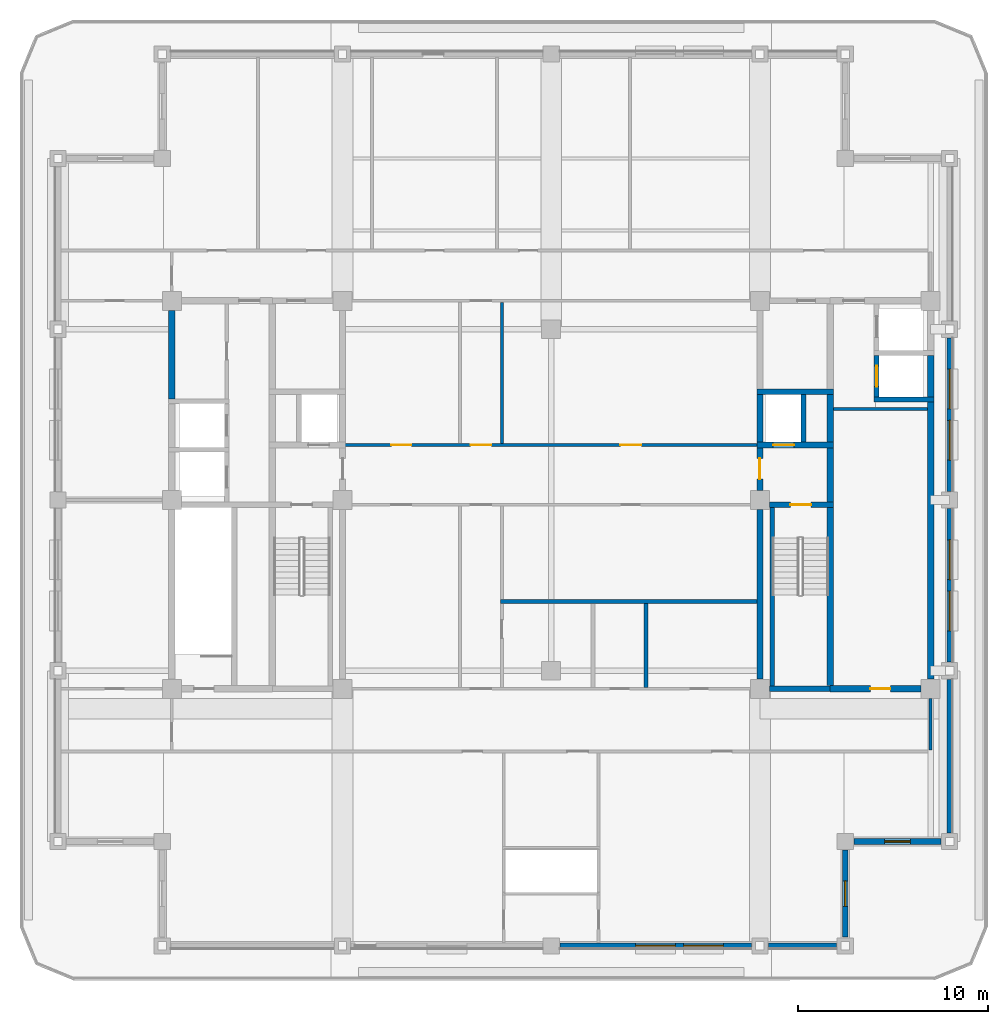
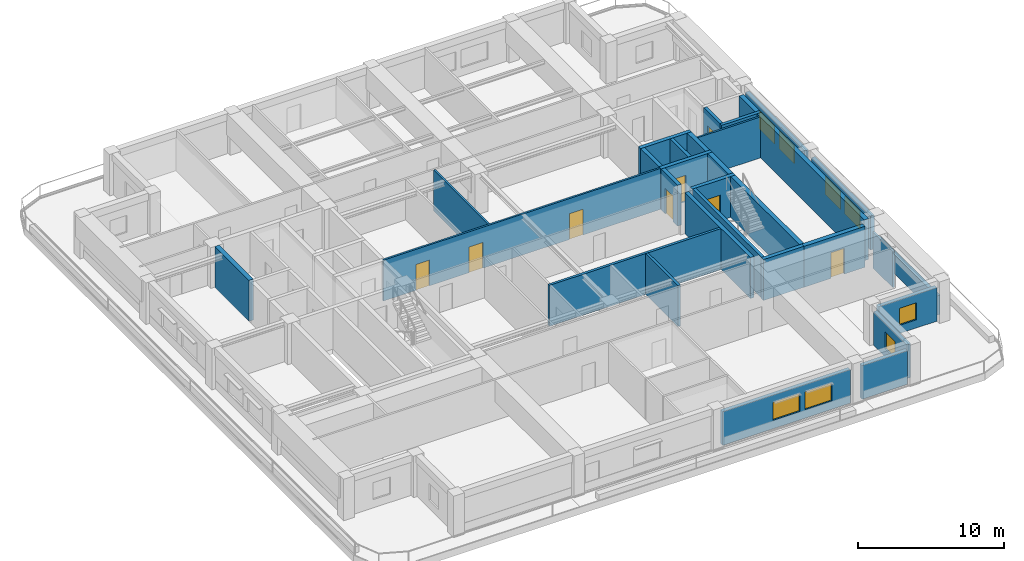
# One storey, part 4 of 11: 31 walls, 8 doors, 8 windows, 16 openings.
"""IFC4 building model written with IfcOpenShell, lengths in metres."""

import ifcopenshell
import ifcopenshell.guid

model = None  # the IFC model being written
_history = None  # IfcOwnerHistory: only IFC2X3 demands one
_inside = {}  # id of a spatial element -> (the spatial element, [elements in it])
_under = {}  # id of a project, library or spatial element -> (it, [spatial elements below it])
_declared = {}  # id of a project -> (the project, [libraries it declares])
_typed = {}  # id of a type object -> (the type object, [elements of that type])
_made_of = {}  # id of a material, layer set ... -> (it, [elements and type objects made of it])


def new_model(schema):
    """Start an empty IFC model of exactly this schema.

    Asked for "IFC4X3", IfcOpenShell would pick the latest addendum, in which some entities
    have other attributes; the version numbers below select the first issue.
    IFC2X3 requires an IfcOwnerHistory on every rooted entity: one is made here for all.
    """
    global model, _history
    if schema == "IFC4X3":
        model = ifcopenshell.file(schema_version=(4, 3, 0, 0))
    else:
        model = ifcopenshell.file(schema=schema)
    _inside.clear()
    _under.clear()
    _declared.clear()
    _typed.clear()
    _made_of.clear()
    _history = None
    if model.schema == "IFC2X3":
        org = make("IfcOrganization", Name="unknown")
        user = make(
            "IfcPersonAndOrganization",
            ThePerson=make("IfcPerson", FamilyName="unknown"),
            TheOrganization=org,
        )
        app = make(
            "IfcApplication",
            ApplicationDeveloper=org,
            Version="unknown",
            ApplicationFullName="unknown",
            ApplicationIdentifier="unknown",
        )
        _history = make(
            "IfcOwnerHistory",
            OwningUser=user,
            OwningApplication=app,
            ChangeAction="ADDED",
            CreationDate=0,
        )
    return model


def make(cls, **values):
    """One entity of the class cls with the attributes given. An attribute that is None is left unset."""
    return model.create_entity(
        cls, **{name: value for name, value in values.items() if value is not None}
    )


def rooted(cls, **values):
    """An entity with a GlobalId (a new one), such as an element, a storey or a relation."""
    return make(cls, GlobalId=ifcopenshell.guid.new(), OwnerHistory=_history, **values)


def si_unit(unit_type, name, prefix=None):
    """IfcSIUnit, for example si_unit("LENGTHUNIT", "METRE", prefix="MILLI")."""
    return make("IfcSIUnit", UnitType=unit_type, Prefix=prefix, Name=name)


def assignment(units):
    """IfcUnitAssignment: the units of a project."""
    return None if units is None else make("IfcUnitAssignment", Units=units)


def point(xyz):
    """IfcCartesianPoint."""
    return None if xyz is None else make("IfcCartesianPoint", Coordinates=xyz)


def direction(xyz):
    """IfcDirection."""
    return None if xyz is None else make("IfcDirection", DirectionRatios=xyz)


def frame(location, z_axis=None, x_axis=None):
    """IfcAxis2Placement3D, a coordinate frame: its origin and axes. An axis left out is left unset."""
    return make(
        "IfcAxis2Placement3D",
        Location=point(location),
        Axis=direction(z_axis),
        RefDirection=direction(x_axis),
    )


def frame_2d(location, x_axis=None):
    """IfcAxis2Placement2D, a coordinate frame in the plane: its origin and x axis."""
    return make(
        "IfcAxis2Placement2D", Location=point(location), RefDirection=direction(x_axis)
    )


def origin():
    """The frame at (0, 0, 0) with its axes left unset."""
    return frame((0.0, 0.0, 0.0))


def place(relative_to, where):
    """IfcLocalPlacement: puts the frame where relative to a parent placement (None: the world)."""
    return make(
        "IfcLocalPlacement", PlacementRelTo=relative_to, RelativePlacement=where
    )


def context(
    kind, dimensions, precision=None, world=None, true_north=None, identifier=None
):
    """IfcGeometricRepresentationContext, for example the 3D "Model" context."""
    return make(
        "IfcGeometricRepresentationContext",
        ContextIdentifier=identifier,
        ContextType=kind,
        CoordinateSpaceDimension=dimensions,
        Precision=precision,
        WorldCoordinateSystem=world,
        TrueNorth=true_north,
    )


def subcontext(parent, identifier, kind, view, scale=None):
    """IfcGeometricRepresentationSubContext, for example "Body" below "Model"."""
    return make(
        "IfcGeometricRepresentationSubContext",
        ContextIdentifier=identifier,
        ContextType=kind,
        ParentContext=parent,
        TargetScale=scale,
        TargetView=view,
    )


def project(units=None, contexts=None):
    """IfcProject with its units and contexts."""
    return rooted(
        "IfcProject",
        Name="project",
        RepresentationContexts=contexts,
        UnitsInContext=assignment(units),
    )


def spatial(cls, under=None, at=None, **own):
    """A site, building, storey or space (cls), placed at a placement, below another one or the project."""
    s = rooted(cls, ObjectPlacement=at, **own)
    if under is not None:
        _under.setdefault(under.id(), (under, []))[1].append(s)
    return s


def profile(cls, at=None, kind="AREA", **sizes):
    """A parametric profile (cls). Its sizes go by their IFC names, for example OverallWidth=200.0."""
    return make(cls, ProfileType=kind, Position=at, **sizes)


def rectangle(**sizes):
    """IfcRectangleProfileDef."""
    return profile("IfcRectangleProfileDef", **sizes)


def extrude(swept, where, along, depth):
    """IfcExtrudedAreaSolid: the profile swept, set in the frame where, extruded along a direction by depth."""
    return make(
        "IfcExtrudedAreaSolid",
        SweptArea=swept,
        Position=where,
        ExtrudedDirection=direction(along),
        Depth=depth,
    )


def shape(context_of_items, identifier, shape_type, items):
    """IfcShapeRepresentation: the items that make up one representation, for example the "Body"."""
    return make(
        "IfcShapeRepresentation",
        ContextOfItems=context_of_items,
        RepresentationIdentifier=identifier,
        RepresentationType=shape_type,
        Items=items,
    )


def material(Name=None, Category=None):
    """IfcMaterial."""
    return make("IfcMaterial", Name=Name, Category=Category)


def layer(
    of_material, thickness, ventilated=None, Name=None, Category=None, Priority=None
):
    """IfcMaterialLayer: one layer of a wall or slab, of a material (None: an air gap)."""
    return make(
        "IfcMaterialLayer",
        Material=of_material,
        LayerThickness=thickness,
        IsVentilated=ventilated,
        Name=Name,
        Category=Category,
        Priority=Priority,
    )


def layer_set(layers, Name=None):
    """IfcMaterialLayerSet."""
    return make("IfcMaterialLayerSet", MaterialLayers=layers, LayerSetName=Name)


def made_of(thing, what):
    """Note that an element or type object is made of a material, layer set ...; save() writes the relation."""
    if what is not None:
        _made_of.setdefault(what.id(), (what, []))[1].append(thing)
    return thing


def type_object(cls, material=None, **own):
    """A type object (cls), such as IfcWallType, which elements share."""
    return made_of(rooted(cls, **own), material)


def element(
    cls,
    number,
    at=None,
    inside=None,
    cuts=None,
    type_object=None,
    material=None,
    context=None,
    identifier="Body",
    shape_type=None,
    held_by="IfcProductDefinitionShape",
    body=None,
    shapes=None,
    **own,
):
    """One element of the class cls, such as IfcWall. Its Tag is "e" and its number.

    at: its placement. inside: the storey or other place that contains it. cuts: it is an
    opening in that element (IfcRelVoidsElement). A single representation is given by context,
    identifier, shape_type and body (its items); several are given by shapes. held_by: the class
    of the entity that holds the representations. save() writes the other relations.
    """
    e = rooted(cls, Tag="e%d" % number, ObjectPlacement=at, **own)
    if body is not None:
        shapes = [shape(context, identifier, shape_type, body)]
    if shapes is not None:
        e.Representation = make(held_by, Representations=shapes)
    if inside is not None:
        _inside.setdefault(inside.id(), (inside, []))[1].append(e)
    if cuts is not None:
        rooted(
            "IfcRelVoidsElement", RelatingBuildingElement=cuts, RelatedOpeningElement=e
        )
    if type_object is not None:
        _typed.setdefault(type_object.id(), (type_object, []))[1].append(e)
    return made_of(e, material)


def fill(opening, filler):
    """IfcRelFillsElement: the door or window that sits in an opening."""
    return rooted(
        "IfcRelFillsElement",
        RelatingOpeningElement=opening,
        RelatedBuildingElement=filler,
    )


def aggregate(whole, parts):
    """IfcRelAggregates: a whole, such as a stair, and the parts it consists of."""
    return rooted("IfcRelAggregates", RelatingObject=whole, RelatedObjects=parts)


def save(model, path):
    """Write the relations noted so far, then the file.

    IfcRelAggregates (storeys below a building ...), IfcRelContainedInSpatialStructure (elements
    in a storey), IfcRelDefinesByType, IfcRelAssociatesMaterial and IfcRelDeclares: one each for
    every whole, place, type object, material and project.
    """
    for whole, parts in _under.values():
        aggregate(whole, parts)
    for where, things in _inside.values():
        rooted(
            "IfcRelContainedInSpatialStructure",
            RelatedElements=things,
            RelatingStructure=where,
        )
    for kind, things in _typed.values():
        rooted("IfcRelDefinesByType", RelatedObjects=things, RelatingType=kind)
    for what, things in _made_of.values():
        rooted("IfcRelAssociatesMaterial", RelatedObjects=things, RelatingMaterial=what)
    for by, libraries in _declared.values():
        rooted("IfcRelDeclares", RelatingContext=by, RelatedDefinitions=libraries)
    model.write(path)


model = new_model("IFC4")

# Units and contexts
model_context = context("Model", 3, precision=1e-05, world=origin(), true_north=direction((0.0, 1.0)))
body_context = subcontext(model_context, "Body", "Model", "MODEL_VIEW")
ifc_project = project(units=[si_unit("LENGTHUNIT", "METRE"), si_unit("AREAUNIT", "SQUARE_METRE"), si_unit("VOLUMEUNIT", "CUBIC_METRE"), si_unit("PLANEANGLEUNIT", "RADIAN"), si_unit("MASSUNIT", "GRAM", prefix="KILO")], contexts=[model_context])

# Site, building, storey
site_placement = place(None, origin())
site = spatial("IfcSite", under=ifc_project, at=site_placement, CompositionType="ELEMENT")
building_placement = place(site_placement, origin())
building = spatial("IfcBuilding", under=site, at=building_placement, Name="Zulmaris Gate Convention Tower", CompositionType="ELEMENT")
storey_placement = place(building_placement, frame((0.0, 0.0, 278.06005859375)))
storey = spatial("IfcBuildingStorey", under=building, at=storey_placement, Name="L74", CompositionType="ELEMENT", Elevation=278.06005859375)

# Walls
ifc_material_1 = material(Name="Concrete C50/60", Category="concrete")
ifc_layer_1 = layer(ifc_material_1, 0.25, Name="Concrete C50/60")
ifc_layer_set_1 = layer_set([ifc_layer_1], Name="Concrete C50/60")
wall_type_1 = type_object("IfcWallType", Name="CORE-250", PredefinedType="SOLIDWALL", material=ifc_layer_set_1)
wall_1_placement = place(storey_placement, frame((17.02490234375, 5.300048828125, 0.0), z_axis=(0.0, 0.0, 1.0), x_axis=(1.0, 0.0, 0.0)))
element("IfcWall", 1, at=wall_1_placement, inside=storey, type_object=wall_type_1, Name="WL-L74-011", PredefinedType="SOLIDWALL", context=body_context, shape_type="SweptSolid", body=[
    extrude(rectangle(XDim=3.150146484375, YDim=0.25, at=frame_2d((1.5751953125, 0.0))), origin(), (0.0, 0.0, 1.0), 3.4150390625),
])
wall_2_placement = place(storey_placement, frame((11.64990234375, -9.798095703125, 0.0), z_axis=(0.0, 0.0, 1.0), x_axis=(0.0, 1.0, 0.0)))
element("IfcWall", 2, at=wall_2_placement, inside=storey, type_object=wall_type_1, Name="WL-L74-053", PredefinedType="SOLIDWALL", context=body_context, shape_type="SweptSolid", body=[
    extrude(rectangle(XDim=9.39599609375, YDim=0.25, at=frame_2d((4.697998046875, 0.0))), origin(), (0.0, 0.0, 1.0), 3.4150390625),
])
wall_3_placement = place(storey_placement, frame((13.300048828125, 3.052001953125, 0.0), z_axis=(0.0, 0.0, 1.0), x_axis=(0.0, 1.0, 0.0)))
element("IfcWall", 3, at=wall_3_placement, inside=storey, type_object=wall_type_1, Name="WL-L74-054", PredefinedType="SOLIDWALL", context=body_context, shape_type="SweptSolid", body=[
    extrude(rectangle(XDim=2.49609375, YDim=0.25, at=frame_2d((1.248046875, 0.0))), origin(), (0.0, 0.0, 1.0), 3.4150390625),
])

# Wall, opening, door
wall_4_placement = place(storey_placement, frame((17.14990234375, 5.427001953125, 0.0), z_axis=(0.0, 0.0, 1.0), x_axis=(0.0, 1.0, 0.0)))
wall_4 = element("IfcWall", 4, at=wall_4_placement, inside=storey, type_object=wall_type_1, Name="WL-L74-059", PredefinedType="SOLIDWALL", context=body_context, shape_type="SweptSolid", body=[
    extrude(rectangle(XDim=2.196044921875, YDim=0.25, at=frame_2d((1.09814453125, 0.0))), origin(), (0.0, 0.0, 1.0), 3.4150390625),
])
opening_1_placement = place(wall_4_placement, frame((0.548095703125, 0.0, 0.0)))
opening_1 = element("IfcOpeningElement", 5, at=opening_1_placement, cuts=wall_4, Name="Opening D-06", PredefinedType="OPENING", context=body_context, shape_type="SweptSolid", body=[
    extrude(rectangle(XDim=1.10009765625, YDim=2.199951171875, at=frame_2d((0.550048828125, 1.10009765625))), frame((0.0, 0.135009765625, 0.0), z_axis=(0.0, -1.0, 0.0), x_axis=(1.0, 0.0, 0.0)), (0.0, 0.0, 1.0), 0.27001953125),
])
ifc_material_2 = material(Name="Brushed Stainless Steel", Category="steel")
door_type_1 = type_object("IfcDoorType", Name="LD-1100", OperationType="NOTDEFINED", PredefinedType="DOOR", material=ifc_material_2)
door_1_placement = place(opening_1_placement, origin())
door_1 = element("IfcDoor", 6, at=door_1_placement, inside=storey, type_object=door_type_1, Name="L74 Lift Landing Door HP-01 14", OperationType="SLIDING_TO_RIGHT", OverallHeight=2.199951171875, OverallWidth=1.10009765625, PredefinedType="DOOR", context=body_context, shape_type="SweptSolid", body=[
    extrude(rectangle(XDim=1.10009765625, YDim=2.199951171875, at=frame_2d((0.550048828125, 1.10009765625))), frame((0.0, 0.02490234375, 0.0), z_axis=(0.0, -1.0, 0.0), x_axis=(1.0, 0.0, 0.0)), (0.0, 0.0, 1.0), 0.050048828125),
])
fill(opening_1, door_1)

# Wall
ifc_layer_2 = layer(ifc_material_1, 0.300048828125, Name="Concrete C50/60")
ifc_layer_set_2 = layer_set([ifc_layer_2], Name="Concrete C50/60")
wall_type_2 = type_object("IfcWallType", Name="CORE-300", PredefinedType="SHEAR", material=ifc_layer_set_2)
wall_5_placement = place(storey_placement, frame((11.50390625, -9.949951171875, 0.0), z_axis=(0.0, 0.0, 1.0), x_axis=(1.0, 0.0, 0.0)))
element("IfcWall", 7, at=wall_5_placement, inside=storey, type_object=wall_type_2, Name="WL-L74-003", PredefinedType="SHEAR", context=body_context, shape_type="SweptSolid", body=[
    extrude(rectangle(XDim=3.196044921875, YDim=0.300048828125, at=frame_2d((1.59814453125, 0.0))), origin(), (0.0, 0.0, 1.0), 3.4150390625),
])

# Wall, opening, door
wall_6_placement = place(storey_placement, frame((11.50390625, -0.25, 0.0), z_axis=(0.0, 0.0, 1.0), x_axis=(1.0, 0.0, 0.0)))
wall_6 = element("IfcWall", 8, at=wall_6_placement, inside=storey, type_object=wall_type_2, Name="WL-L74-006", PredefinedType="SHEAR", context=body_context, shape_type="SweptSolid", body=[
    extrude(rectangle(XDim=3.37109375, YDim=0.300048828125, at=frame_2d((1.685546875, 0.0))), origin(), (0.0, 0.0, 1.0), 3.4150390625),
])
opening_2_placement = place(wall_6_placement, frame((1.095947265625, 0.0, 0.0)))
opening_2 = element("IfcOpeningElement", 9, at=opening_2_placement, cuts=wall_6, Name="Opening D-08", PredefinedType="OPENING", context=body_context, shape_type="SweptSolid", body=[
    extrude(rectangle(XDim=1.10009765625, YDim=2.14990234375, at=frame_2d((0.550048828125, 1.074951171875))), frame((0.0, 0.16015625, 0.0), z_axis=(0.0, -1.0, 0.0), x_axis=(1.0, 0.0, 0.0)), (0.0, 0.0, 1.0), 0.320068359375),
])
ifc_material_3 = material(Name="Fire-Rated Steel", Category="steel")
door_type_2 = type_object("IfcDoorType", Name="DR-1100-FD", OperationType="NOTDEFINED", PredefinedType="DOOR", material=ifc_material_3)
door_2_placement = place(opening_2_placement, origin())
door_2 = element("IfcDoor", 10, at=door_2_placement, inside=storey, type_object=door_type_2, Name="L74 Exit Stair ST-2 Door 04", OperationType="SINGLE_SWING_LEFT", OverallHeight=2.14990234375, OverallWidth=1.10009765625, PredefinedType="DOOR", context=body_context, shape_type="SweptSolid", body=[
    extrude(rectangle(XDim=1.10009765625, YDim=2.14990234375, at=frame_2d((0.550048828125, 1.074951171875))), frame((0.0, 0.02490234375, 0.0), z_axis=(0.0, -1.0, 0.0), x_axis=(1.0, 0.0, 0.0)), (0.0, 0.0, 1.0), 0.050048828125),
])
fill(opening_2, door_2)

wall_7_placement = place(storey_placement, frame((10.85009765625, 2.89990234375, 0.0), z_axis=(0.0, 0.0, 1.0), x_axis=(1.0, 0.0, 0.0)))
wall_7 = element("IfcWall", 11, at=wall_7_placement, inside=storey, type_object=wall_type_2, Name="WL-L74-009", PredefinedType="SHEAR", context=body_context, shape_type="SweptSolid", body=[
    extrude(rectangle(XDim=4.02490234375, YDim=0.300048828125, at=frame_2d((2.012451171875, 0.0))), origin(), (0.0, 0.0, 1.0), 3.4150390625),
])
opening_3_placement = place(wall_7_placement, frame((0.85009765625, 0.0, 0.0)))
opening_3 = element("IfcOpeningElement", 12, at=opening_3_placement, cuts=wall_7, Name="Opening D-06", PredefinedType="OPENING", context=body_context, shape_type="SweptSolid", body=[
    extrude(rectangle(XDim=1.10009765625, YDim=2.199951171875, at=frame_2d((0.550048828125, 1.10009765625))), frame((0.0, 0.16015625, 0.0), z_axis=(0.0, -1.0, 0.0), x_axis=(1.0, 0.0, 0.0)), (0.0, 0.0, 1.0), 0.320068359375),
])
door_3_placement = place(opening_3_placement, origin())
door_3 = element("IfcDoor", 13, at=door_3_placement, inside=storey, type_object=door_type_1, Name="L74 Lift Landing Door LF-02 06", OperationType="SLIDING_TO_RIGHT", OverallHeight=2.199951171875, OverallWidth=1.10009765625, PredefinedType="DOOR", context=body_context, shape_type="SweptSolid", body=[
    extrude(rectangle(XDim=1.10009765625, YDim=2.199951171875, at=frame_2d((0.550048828125, 1.10009765625))), frame((0.0, 0.02490234375, 0.0), z_axis=(0.0, -1.0, 0.0), x_axis=(1.0, 0.0, 0.0)), (0.0, 0.0, 1.0), 0.050048828125),
])
fill(opening_3, door_3)

# Walls
wall_8_placement = place(storey_placement, frame((10.85009765625, 5.699951171875, 0.0), z_axis=(0.0, 0.0, 1.0), x_axis=(1.0, 0.0, 0.0)))
element("IfcWall", 14, at=wall_8_placement, inside=storey, type_object=wall_type_2, Name="WL-L74-013", PredefinedType="SHEAR", context=body_context, shape_type="SweptSolid", body=[
    extrude(rectangle(XDim=4.02490234375, YDim=0.300048828125, at=frame_2d((2.012451171875, 0.0))), origin(), (0.0, 0.0, 1.0), 3.4150390625),
])
wall_9_placement = place(storey_placement, frame((11.0, -9.446044921875, 0.0), z_axis=(0.0, 0.0, 1.0), x_axis=(0.0, 1.0, 0.0)))
element("IfcWall", 15, at=wall_9_placement, inside=storey, type_object=wall_type_2, Name="WL-L74-049", PredefinedType="SHEAR", context=body_context, shape_type="SweptSolid", body=[
    extrude(rectangle(XDim=8.942138671875, YDim=0.300048828125, at=frame_2d((4.47119140625, 0.0))), origin(), (0.0, 0.0, 1.0), 3.4150390625),
])

# Wall, opening, door
wall_10_placement = place(storey_placement, frame((11.0, 0.50390625, 0.0), z_axis=(0.0, 0.0, 1.0), x_axis=(0.0, 1.0, 0.0)))
wall_10 = element("IfcWall", 16, at=wall_10_placement, inside=storey, type_object=wall_type_2, Name="WL-L74-050", PredefinedType="SHEAR", context=body_context, shape_type="SweptSolid", body=[
    extrude(rectangle(XDim=2.244140625, YDim=0.300048828125, at=frame_2d((1.1220703125, 0.0))), origin(), (0.0, 0.0, 1.0), 3.4150390625),
])
opening_4_placement = place(wall_10_placement, frame((0.595947265625, 0.0, 0.0)))
opening_4 = element("IfcOpeningElement", 17, at=opening_4_placement, cuts=wall_10, Name="Opening D-08", PredefinedType="OPENING", context=body_context, shape_type="SweptSolid", body=[
    extrude(rectangle(XDim=1.10009765625, YDim=2.14990234375, at=frame_2d((0.550048828125, 1.074951171875))), frame((0.0, 0.16015625, 0.0), z_axis=(0.0, -1.0, 0.0), x_axis=(1.0, 0.0, 0.0)), (0.0, 0.0, 1.0), 0.320068359375),
])
door_4_placement = place(opening_4_placement, origin())
door_4 = element("IfcDoor", 18, at=door_4_placement, inside=storey, type_object=door_type_2, Name="L74 East Firefighting Lobby Door 05", OperationType="SINGLE_SWING_RIGHT", OverallHeight=2.14990234375, OverallWidth=1.10009765625, PredefinedType="DOOR", context=body_context, shape_type="SweptSolid", body=[
    extrude(rectangle(XDim=1.10009765625, YDim=2.14990234375, at=frame_2d((0.550048828125, 1.074951171875))), frame((0.0, 0.02490234375, 0.0), z_axis=(0.0, -1.0, 0.0), x_axis=(1.0, 0.0, 0.0)), (0.0, 0.0, 1.0), 0.050048828125),
])
fill(opening_4, door_4)

# Wall
wall_11_placement = place(storey_placement, frame((11.0, 3.052001953125, 0.0), z_axis=(0.0, 0.0, 1.0), x_axis=(0.0, 1.0, 0.0)))
element("IfcWall", 19, at=wall_11_placement, inside=storey, type_object=wall_type_2, Name="WL-L74-051", PredefinedType="SHEAR", context=body_context, shape_type="SweptSolid", body=[
    extrude(rectangle(XDim=2.49609375, YDim=0.300048828125, at=frame_2d((1.248046875, 0.0))), origin(), (0.0, 0.0, 1.0), 3.4150390625),
])

# Wall, opening, door
ifc_material_4 = material(Name="Concrete C55/67", Category="concrete")
ifc_layer_3 = layer(ifc_material_4, 0.35009765625, Name="Concrete C55/67")
ifc_layer_set_3 = layer_set([ifc_layer_3], Name="Concrete C55/67")
wall_type_3 = type_object("IfcWallType", Name="CORE-350", PredefinedType="SHEAR", material=ifc_layer_set_3)
wall_12_placement = place(storey_placement, frame((14.699951171875, -9.949951171875, 0.0), z_axis=(0.0, 0.0, 1.0), x_axis=(1.0, 0.0, 0.0)))
wall_12 = element("IfcWall", 20, at=wall_12_placement, inside=storey, type_object=wall_type_3, Name="WL-L74-004", PredefinedType="SHEAR", context=body_context, shape_type="SweptSolid", body=[
    extrude(rectangle(XDim=4.796142578125, YDim=0.35009765625, at=frame_2d((2.39794921875, 0.0))), origin(), (0.0, 0.0, 1.0), 3.4150390625),
])
opening_5_placement = place(wall_12_placement, frame((2.125, 0.0, 0.0)))
opening_5 = element("IfcOpeningElement", 21, at=opening_5_placement, cuts=wall_12, Name="Opening D-09", PredefinedType="OPENING", context=body_context, shape_type="SweptSolid", body=[
    extrude(rectangle(XDim=1.050048828125, YDim=2.14990234375, at=frame_2d((0.52490234375, 1.074951171875))), frame((0.0, 0.18505859375, 0.0), z_axis=(0.0, -1.0, 0.0), x_axis=(1.0, 0.0, 0.0)), (0.0, 0.0, 1.0), 0.3701171875),
])
door_type_3 = type_object("IfcDoorType", Name="DR-1050-FD", OperationType="NOTDEFINED", PredefinedType="DOOR", material=ifc_material_3)
door_5_placement = place(opening_5_placement, origin())
door_5 = element("IfcDoor", 22, at=door_5_placement, inside=storey, type_object=door_type_3, Name="L74 Housekeeping Hall Door 17", OperationType="SINGLE_SWING_LEFT", OverallHeight=2.14990234375, OverallWidth=1.050048828125, PredefinedType="DOOR", context=body_context, shape_type="SweptSolid", body=[
    extrude(rectangle(XDim=1.050048828125, YDim=2.14990234375, at=frame_2d((0.52490234375, 1.074951171875))), frame((0.0, 0.02490234375, 0.0), z_axis=(0.0, -1.0, 0.0), x_axis=(1.0, 0.0, 0.0)), (0.0, 0.0, 1.0), 0.050048828125),
])
fill(opening_5, door_5)

# Walls
wall_13_placement = place(storey_placement, frame((-20.0, 5.326904296875, 0.0), z_axis=(0.0, 0.0, 1.0), x_axis=(0.0, 1.0, 0.0)))
element("IfcWall", 23, at=wall_13_placement, inside=storey, type_object=wall_type_3, Name="WL-L74-035", PredefinedType="SHEAR", context=body_context, shape_type="SweptSolid", body=[
    extrude(rectangle(XDim=4.669189453125, YDim=0.35009765625, at=frame_2d((2.33447265625, 0.0))), origin(), (0.0, 0.0, 1.0), 3.4150390625),
])
wall_14_placement = place(storey_placement, frame((14.699951171875, -9.77294921875, 0.0), z_axis=(0.0, 0.0, 1.0), x_axis=(0.0, 1.0, 0.0)))
element("IfcWall", 24, at=wall_14_placement, inside=storey, type_object=wall_type_3, Name="WL-L74-055", PredefinedType="SHEAR", context=body_context, shape_type="SweptSolid", body=[
    extrude(rectangle(XDim=9.370849609375, YDim=0.35009765625, at=frame_2d((4.685546875, 0.0))), origin(), (0.0, 0.0, 1.0), 3.4150390625),
])
wall_15_placement = place(storey_placement, frame((14.699951171875, -0.097900390625, 0.0), z_axis=(0.0, 0.0, 1.0), x_axis=(0.0, 1.0, 0.0)))
element("IfcWall", 25, at=wall_15_placement, inside=storey, type_object=wall_type_3, Name="WL-L74-056", PredefinedType="SHEAR", context=body_context, shape_type="SweptSolid", body=[
    extrude(rectangle(XDim=2.845947265625, YDim=0.35009765625, at=frame_2d((1.4228515625, 0.0))), origin(), (0.0, 0.0, 1.0), 3.4150390625),
])
wall_16_placement = place(storey_placement, frame((14.699951171875, 3.052001953125, 0.0), z_axis=(0.0, 0.0, 1.0), x_axis=(0.0, 1.0, 0.0)))
element("IfcWall", 26, at=wall_16_placement, inside=storey, type_object=wall_type_3, Name="WL-L74-057", PredefinedType="SHEAR", context=body_context, shape_type="SweptSolid", body=[
    extrude(rectangle(XDim=2.49609375, YDim=0.35009765625, at=frame_2d((1.248046875, 0.0))), origin(), (0.0, 0.0, 1.0), 3.4150390625),
])
wall_17_placement = place(storey_placement, frame((20.0, -9.446044921875, 0.0), z_axis=(0.0, 0.0, 1.0), x_axis=(0.0, 1.0, 0.0)))
element("IfcWall", 27, at=wall_17_placement, inside=storey, type_object=wall_type_3, Name="WL-L74-061", PredefinedType="SHEAR", context=body_context, shape_type="SweptSolid", body=[
    extrude(rectangle(XDim=14.619140625, YDim=0.35009765625, at=frame_2d((7.3095703125, 0.0))), origin(), (0.0, 0.0, 1.0), 3.4150390625),
])
wall_18_placement = place(storey_placement, frame((20.0, 5.427001953125, 0.0), z_axis=(0.0, 0.0, 1.0), x_axis=(0.0, 1.0, 0.0)))
element("IfcWall", 28, at=wall_18_placement, inside=storey, type_object=wall_type_3, Name="WL-L74-062", PredefinedType="SHEAR", context=body_context, shape_type="SweptSolid", body=[
    extrude(rectangle(XDim=2.196044921875, YDim=0.35009765625, at=frame_2d((1.09814453125, 0.0))), origin(), (0.0, 0.0, 1.0), 3.4150390625),
])

# Wall, openings, doors
ifc_material_5 = material(Name="Gypsum Metal Stud Partition")
ifc_layer_4 = layer(ifc_material_5, 0.14990234375, Name="Gypsum Metal Stud Partition")
ifc_layer_set_4 = layer_set([ifc_layer_4], Name="Gypsum Metal Stud Partition")
wall_type_4 = type_object("IfcWallType", Name="PART-150", PredefinedType="PARTITIONING", material=ifc_layer_set_4)
wall_19_placement = place(storey_placement, frame((-11.0, 2.89990234375, 0.0), z_axis=(0.0, 0.0, 1.0), x_axis=(1.0, 0.0, 0.0)))
wall_19 = element("IfcWall", 29, at=wall_19_placement, inside=storey, type_object=wall_type_4, Name="WL-L74-027", PredefinedType="PARTITIONING", context=body_context, shape_type="SweptSolid", body=[
    extrude(rectangle(XDim=22.0, YDim=0.14990234375, at=frame_2d((11.0, 0.0))), origin(), (0.0, 0.0, 1.0), 3.4150390625),
])
opening_6_placement = place(wall_19_placement, frame((6.75, 0.0, 0.0)))
opening_6 = element("IfcOpeningElement", 30, at=opening_6_placement, cuts=wall_19, Name="Opening D-08", PredefinedType="OPENING", context=body_context, shape_type="SweptSolid", body=[
    extrude(rectangle(XDim=1.10009765625, YDim=2.14990234375, at=frame_2d((0.550048828125, 1.074951171875))), frame((0.0, 0.0849609375, 0.0), z_axis=(0.0, -1.0, 0.0), x_axis=(1.0, 0.0, 0.0)), (0.0, 0.0, 1.0), 0.169921875),
])
opening_7_placement = place(wall_19_placement, frame((2.574951171875, 0.0, 0.0)))
opening_7 = element("IfcOpeningElement", 31, at=opening_7_placement, cuts=wall_19, Name="Opening D-09", PredefinedType="OPENING", context=body_context, shape_type="SweptSolid", body=[
    extrude(rectangle(XDim=1.050048828125, YDim=2.14990234375, at=frame_2d((0.52490234375, 1.074951171875))), frame((0.0, 0.0849609375, 0.0), z_axis=(0.0, -1.0, 0.0), x_axis=(1.0, 0.0, 0.0)), (0.0, 0.0, 1.0), 0.169921875),
])
opening_8_placement = place(wall_19_placement, frame((14.64990234375, 0.0, 0.0)))
opening_8 = element("IfcOpeningElement", 32, at=opening_8_placement, cuts=wall_19, Name="Opening D-08", PredefinedType="OPENING", context=body_context, shape_type="SweptSolid", body=[
    extrude(rectangle(XDim=1.10009765625, YDim=2.14990234375, at=frame_2d((0.550048828125, 1.074951171875))), frame((0.0, 0.0849609375, 0.0), z_axis=(0.0, -1.0, 0.0), x_axis=(1.0, 0.0, 0.0)), (0.0, 0.0, 1.0), 0.169921875),
])
door_6_placement = place(opening_7_placement, origin())
door_6 = element("IfcDoor", 33, at=door_6_placement, inside=storey, type_object=door_type_3, Name="L74 Reception Door 32", OperationType="SINGLE_SWING_RIGHT", OverallHeight=2.14990234375, OverallWidth=1.050048828125, PredefinedType="DOOR", context=body_context, shape_type="SweptSolid", body=[
    extrude(rectangle(XDim=1.050048828125, YDim=2.14990234375, at=frame_2d((0.52490234375, 1.074951171875))), frame((0.0, 0.02490234375, 0.0), z_axis=(0.0, -1.0, 0.0), x_axis=(1.0, 0.0, 0.0)), (0.0, 0.0, 1.0), 0.050048828125),
])
fill(opening_7, door_6)
door_7_placement = place(opening_6_placement, origin())
door_7 = element("IfcDoor", 34, at=door_7_placement, inside=storey, type_object=door_type_2, Name="L74 Exec Cross North Door 20", OperationType="SINGLE_SWING_RIGHT", OverallHeight=2.14990234375, OverallWidth=1.10009765625, PredefinedType="DOOR", context=body_context, shape_type="SweptSolid", body=[
    extrude(rectangle(XDim=1.10009765625, YDim=2.14990234375, at=frame_2d((0.550048828125, 1.074951171875))), frame((0.0, 0.02490234375, 0.0), z_axis=(0.0, -1.0, 0.0), x_axis=(1.0, 0.0, 0.0)), (0.0, 0.0, 1.0), 0.050048828125),
])
fill(opening_6, door_7)
door_8_placement = place(opening_8_placement, origin())
door_8 = element("IfcDoor", 35, at=door_8_placement, inside=storey, type_object=door_type_2, Name="L74 Townhall Forum Door 33", OperationType="SINGLE_SWING_LEFT", OverallHeight=2.14990234375, OverallWidth=1.10009765625, PredefinedType="DOOR", context=body_context, shape_type="SweptSolid", body=[
    extrude(rectangle(XDim=1.10009765625, YDim=2.14990234375, at=frame_2d((0.550048828125, 1.074951171875))), frame((0.0, 0.02490234375, 0.0), z_axis=(0.0, -1.0, 0.0), x_axis=(1.0, 0.0, 0.0)), (0.0, 0.0, 1.0), 0.050048828125),
])
fill(opening_8, door_8)

# Walls
wall_20_placement = place(storey_placement, frame((14.8779296875, 4.800048828125, 0.0), z_axis=(0.0, 0.0, 1.0), x_axis=(1.0, 0.0, 0.0)))
element("IfcWall", 36, at=wall_20_placement, inside=storey, type_object=wall_type_4, Name="WL-L74-028", PredefinedType="PARTITIONING", context=body_context, shape_type="SweptSolid", body=[
    extrude(rectangle(XDim=4.944091796875, YDim=0.14990234375, at=frame_2d((2.47216796875, 0.0))), origin(), (0.0, 0.0, 1.0), 3.4150390625),
])
wall_21_placement = place(storey_placement, frame((-2.60009765625, 2.97802734375, 0.0), z_axis=(0.0, 0.0, 1.0), x_axis=(0.0, 1.0, 0.0)))
element("IfcWall", 37, at=wall_21_placement, inside=storey, type_object=wall_type_4, Name="WL-L74-074", PredefinedType="PARTITIONING", context=body_context, shape_type="SweptSolid", body=[
    extrude(rectangle(XDim=7.444091796875, YDim=0.14990234375, at=frame_2d((3.72216796875, 0.0))), origin(), (0.0, 0.0, 1.0), 3.4150390625),
])
wall_22_placement = place(storey_placement, frame((20.0, -13.172119140625, 0.0), z_axis=(0.0, 0.0, 1.0), x_axis=(0.0, 1.0, 0.0)))
element("IfcWall", 38, at=wall_22_placement, inside=storey, type_object=wall_type_4, Name="WL-L74-084", PredefinedType="PARTITIONING", context=body_context, shape_type="SweptSolid", body=[
    extrude(rectangle(XDim=2.716064453125, YDim=0.14990234375, at=frame_2d((1.35791015625, 0.0))), origin(), (0.0, 0.0, 1.0), 3.0048828125),
])
ifc_material_6 = material(Name="Autoclaved Aerated Concrete Block and Plasterboard", Category="concrete")
ifc_layer_5 = layer(ifc_material_6, 0.199951171875, Name="Autoclaved Aerated Concrete Block and Plasterboard")
ifc_layer_set_5 = layer_set([ifc_layer_5], Name="Autoclaved Aerated Concrete Block and Plasterboard")
wall_type_5 = type_object("IfcWallType", Name="PART-200", PredefinedType="PARTITIONING", material=ifc_layer_set_5)
wall_23_placement = place(storey_placement, frame((-2.675048828125, -5.35009765625, 0.0), z_axis=(0.0, 0.0, 1.0), x_axis=(1.0, 0.0, 0.0)))
element("IfcWall", 39, at=wall_23_placement, inside=storey, type_object=wall_type_5, Name="WL-L74-024", PredefinedType="PARTITIONING", context=body_context, shape_type="SweptSolid", body=[
    extrude(rectangle(XDim=13.52197265625, YDim=0.199951171875, at=frame_2d((6.760986328125, 0.0))), origin(), (0.0, 0.0, 1.0), 3.4150390625),
])
wall_24_placement = place(storey_placement, frame((5.0, -9.8720703125, 0.0), z_axis=(0.0, 0.0, 1.0), x_axis=(0.0, 1.0, 0.0)))
element("IfcWall", 40, at=wall_24_placement, inside=storey, type_object=wall_type_5, Name="WL-L74-083", PredefinedType="PARTITIONING", context=body_context, shape_type="SweptSolid", body=[
    extrude(rectangle(XDim=4.419189453125, YDim=0.199951171875, at=frame_2d((2.20947265625, 0.0))), origin(), (0.0, 0.0, 1.0), 3.4150390625),
])

# Wall, opening, window
ifc_material_7 = material(Name="Precast concrete C40/50", Category="concrete")
ifc_layer_6 = layer(ifc_material_7, 0.300048828125, Name="Precast concrete C40/50")
ifc_layer_set_6 = layer_set([ifc_layer_6], Name="Precast concrete C40/50")
wall_type_6 = type_object("IfcWallType", Name="PRECAST-PIER-300", PredefinedType="STANDARD", material=ifc_layer_set_6)
wall_25_placement = place(storey_placement, frame((15.5, -23.044921875, 0.0), z_axis=(0.0, 0.0, 1.0), x_axis=(0.0, 1.0, 0.0)))
wall_25 = element("IfcWall", 41, at=wall_25_placement, inside=storey, type_object=wall_type_6, Name="EW-L74-NOTCH-SE1_0", PredefinedType="STANDARD", context=body_context, shape_type="SweptSolid", body=[
    extrude(rectangle(XDim=4.58984375, YDim=0.300048828125, at=frame_2d((2.294921875, 0.0))), origin(), (0.0, 0.0, 1.0), 2.806884765625),
])
opening_9_placement = place(wall_25_placement, frame((1.6201171875, 0.0, 0.679931640625)))
opening_9 = element("IfcOpeningElement", 42, at=opening_9_placement, cuts=wall_25, Name="Opening W-10", PredefinedType="OPENING", context=body_context, shape_type="SweptSolid", body=[
    extrude(rectangle(XDim=1.35009765625, YDim=1.419921875, at=frame_2d((0.675048828125, 0.7099609375))), frame((0.0, 0.16015625, 0.0), z_axis=(0.0, -1.0, 0.0), x_axis=(1.0, 0.0, 0.0)), (0.0, 0.0, 1.0), 0.320068359375),
])
ifc_material_8 = material(Name="Low-E Laminated Double Glazing in Aluminium Frame", Category="aluminium")
window_type_1 = type_object("IfcWindowType", Name="WIN-1350x2000", PartitioningType="SINGLE_PANEL", PredefinedType="WINDOW", material=ifc_material_8)
window_1_placement = place(opening_9_placement, origin())
window_1 = element("IfcWindow", 43, at=window_1_placement, inside=storey, type_object=window_type_1, Name="WN-EW-L74-NOTCH-SE1_0", OverallHeight=1.419921875, OverallWidth=1.35009765625, PartitioningType="SINGLE_PANEL", PredefinedType="WINDOW", context=body_context, shape_type="SweptSolid", body=[
    extrude(rectangle(XDim=1.35009765625, YDim=1.419921875, at=frame_2d((0.675048828125, 0.7099609375))), frame((0.0, 0.030029296875, 0.0), z_axis=(0.0, -1.0, 0.0), x_axis=(1.0, 0.0, 0.0)), (0.0, 0.0, 1.0), 0.06005859375),
])
fill(opening_9, window_1)

wall_26_placement = place(storey_placement, frame((15.955078125, -18.0, 0.0), z_axis=(0.0, 0.0, 1.0), x_axis=(1.0, 0.0, 0.0)))
wall_26 = element("IfcWall", 44, at=wall_26_placement, inside=storey, type_object=wall_type_6, Name="EW-L74-NOTCH-SE2_0", PredefinedType="STANDARD", context=body_context, shape_type="SweptSolid", body=[
    extrude(rectangle(XDim=4.58984375, YDim=0.300048828125, at=frame_2d((2.294921875, 0.0))), origin(), (0.0, 0.0, 1.0), 2.806884765625),
])
opening_10_placement = place(wall_26_placement, frame((1.6201171875, 0.0, 0.679931640625)))
opening_10 = element("IfcOpeningElement", 45, at=opening_10_placement, cuts=wall_26, Name="Opening W-10", PredefinedType="OPENING", context=body_context, shape_type="SweptSolid", body=[
    extrude(rectangle(XDim=1.35009765625, YDim=1.419921875, at=frame_2d((0.675048828125, 0.7099609375))), frame((0.0, 0.16015625, 0.0), z_axis=(0.0, -1.0, 0.0), x_axis=(1.0, 0.0, 0.0)), (0.0, 0.0, 1.0), 0.320068359375),
])
window_2_placement = place(opening_10_placement, origin())
window_2 = element("IfcWindow", 46, at=window_2_placement, inside=storey, type_object=window_type_1, Name="WN-EW-L74-NOTCH-SE2_0", OverallHeight=1.419921875, OverallWidth=1.35009765625, PartitioningType="SINGLE_PANEL", PredefinedType="WINDOW", context=body_context, shape_type="SweptSolid", body=[
    extrude(rectangle(XDim=1.35009765625, YDim=1.419921875, at=frame_2d((0.675048828125, 0.7099609375))), frame((0.0, 0.030029296875, 0.0), z_axis=(0.0, -1.0, 0.0), x_axis=(1.0, 0.0, 0.0)), (0.0, 0.0, 1.0), 0.06005859375),
])
fill(opening_10, window_2)

# Wall, openings, windows
wall_27_placement = place(storey_placement, frame((0.455078125, -23.5, 0.0), z_axis=(0.0, 0.0, 1.0), x_axis=(1.0, 0.0, 0.0)))
wall_27 = element("IfcWall", 47, at=wall_27_placement, inside=storey, type_object=wall_type_6, Name="EW-L74-S-2_0", PredefinedType="STANDARD", context=body_context, shape_type="SweptSolid", body=[
    extrude(rectangle(XDim=10.08984375, YDim=0.300048828125, at=frame_2d((5.044921875, 0.0))), origin(), (0.0, 0.0, 1.0), 2.806884765625),
])
opening_11_placement = place(wall_27_placement, frame((3.9951171875, 0.0, 0.699951171875)))
opening_11 = element("IfcOpeningElement", 48, at=opening_11_placement, cuts=wall_27, Name="Opening W-05", PredefinedType="OPENING", context=body_context, shape_type="SweptSolid", body=[
    extrude(rectangle(XDim=2.10009765625, YDim=1.5, at=frame_2d((1.050048828125, 0.75))), frame((0.0, 0.16015625, 0.0), z_axis=(0.0, -1.0, 0.0), x_axis=(1.0, 0.0, 0.0)), (0.0, 0.0, 1.0), 0.320068359375),
])
opening_12_placement = place(wall_27_placement, frame((6.51806640625, 0.0, 0.699951171875)))
opening_12 = element("IfcOpeningElement", 49, at=opening_12_placement, cuts=wall_27, Name="Opening W-05", PredefinedType="OPENING", context=body_context, shape_type="SweptSolid", body=[
    extrude(rectangle(XDim=2.10009765625, YDim=1.5, at=frame_2d((1.050048828125, 0.75))), frame((0.0, 0.16015625, 0.0), z_axis=(0.0, -1.0, 0.0), x_axis=(1.0, 0.0, 0.0)), (0.0, 0.0, 1.0), 0.320068359375),
])
window_type_2 = type_object("IfcWindowType", Name="WIN-2100x2400", PartitioningType="SINGLE_PANEL", PredefinedType="WINDOW", material=ifc_material_8)
window_3_placement = place(opening_11_placement, origin())
window_3 = element("IfcWindow", 50, at=window_3_placement, inside=storey, type_object=window_type_2, Name="WN-EW-L74-S-2_0-2", OverallHeight=1.5, OverallWidth=2.10009765625, PartitioningType="SINGLE_PANEL", PredefinedType="WINDOW", context=body_context, shape_type="SweptSolid", body=[
    extrude(rectangle(XDim=2.10009765625, YDim=1.5, at=frame_2d((1.050048828125, 0.75))), frame((0.0, 0.030029296875, 0.0), z_axis=(0.0, -1.0, 0.0), x_axis=(1.0, 0.0, 0.0)), (0.0, 0.0, 1.0), 0.06005859375),
])
fill(opening_11, window_3)
window_4_placement = place(opening_12_placement, origin())
window_4 = element("IfcWindow", 51, at=window_4_placement, inside=storey, type_object=window_type_2, Name="WN-EW-L74-S-2_0-3", OverallHeight=1.5, OverallWidth=2.10009765625, PartitioningType="SINGLE_PANEL", PredefinedType="WINDOW", context=body_context, shape_type="SweptSolid", body=[
    extrude(rectangle(XDim=2.10009765625, YDim=1.5, at=frame_2d((1.050048828125, 0.75))), frame((0.0, 0.030029296875, 0.0), z_axis=(0.0, -1.0, 0.0), x_axis=(1.0, 0.0, 0.0)), (0.0, 0.0, 1.0), 0.06005859375),
])
fill(opening_12, window_4)

# Walls
wall_28_placement = place(storey_placement, frame((11.455078125, -23.5, 0.0), z_axis=(0.0, 0.0, 1.0), x_axis=(1.0, 0.0, 0.0)))
element("IfcWall", 52, at=wall_28_placement, inside=storey, type_object=wall_type_6, Name="EW-L74-S-3_0", PredefinedType="STANDARD", context=body_context, shape_type="SweptSolid", body=[
    extrude(rectangle(XDim=3.58984375, YDim=0.300048828125, at=frame_2d((1.794921875, 0.0))), origin(), (0.0, 0.0, 1.0), 2.806884765625),
])
wall_29_placement = place(storey_placement, frame((21.0, -17.544921875, 0.0), z_axis=(0.0, 0.0, 1.0), x_axis=(0.0, 1.0, 0.0)))
element("IfcWall", 53, at=wall_29_placement, inside=storey, type_object=wall_type_6, Name="EW-L74-E-0_0", PredefinedType="STANDARD", context=body_context, shape_type="SweptSolid", body=[
    extrude(rectangle(XDim=8.08984375, YDim=0.300048828125, at=frame_2d((4.044921875, 0.0))), origin(), (0.0, 0.0, 1.0), 1.60693359375),
])

# Wall, openings, windows
wall_30_placement = place(storey_placement, frame((21.0, -8.544921875, 0.0), z_axis=(0.0, 0.0, 1.0), x_axis=(0.0, 1.0, 0.0)))
wall_30 = element("IfcWall", 54, at=wall_30_placement, inside=storey, type_object=wall_type_6, Name="EW-L74-E-1_0", PredefinedType="STANDARD", context=body_context, shape_type="SweptSolid", body=[
    extrude(rectangle(XDim=8.08984375, YDim=0.300048828125, at=frame_2d((4.044921875, 0.0))), origin(), (0.0, 0.0, 1.0), 2.806884765625),
])
opening_13_placement = place(wall_30_placement, frame((1.64697265625, 0.0, 0.699951171875)))
opening_13 = element("IfcOpeningElement", 55, at=opening_13_placement, cuts=wall_30, Name="Opening W-05", PredefinedType="OPENING", context=body_context, shape_type="SweptSolid", body=[
    extrude(rectangle(XDim=2.10009765625, YDim=1.5, at=frame_2d((1.050048828125, 0.75))), frame((0.0, 0.16015625, 0.0), z_axis=(0.0, -1.0, 0.0), x_axis=(1.0, 0.0, 0.0)), (0.0, 0.0, 1.0), 0.320068359375),
])
opening_14_placement = place(wall_30_placement, frame((4.343017578125, 0.0, 0.699951171875)))
opening_14 = element("IfcOpeningElement", 56, at=opening_14_placement, cuts=wall_30, Name="Opening W-05", PredefinedType="OPENING", context=body_context, shape_type="SweptSolid", body=[
    extrude(rectangle(XDim=2.10009765625, YDim=1.5, at=frame_2d((1.050048828125, 0.75))), frame((0.0, 0.16015625, 0.0), z_axis=(0.0, -1.0, 0.0), x_axis=(1.0, 0.0, 0.0)), (0.0, 0.0, 1.0), 0.320068359375),
])
window_5_placement = place(opening_13_placement, origin())
window_5 = element("IfcWindow", 57, at=window_5_placement, inside=storey, type_object=window_type_2, Name="WN-EW-L74-E-1_0-1", OverallHeight=1.5, OverallWidth=2.10009765625, PartitioningType="SINGLE_PANEL", PredefinedType="WINDOW", context=body_context, shape_type="SweptSolid", body=[
    extrude(rectangle(XDim=2.10009765625, YDim=1.5, at=frame_2d((1.050048828125, 0.75))), frame((0.0, 0.030029296875, 0.0), z_axis=(0.0, -1.0, 0.0), x_axis=(1.0, 0.0, 0.0)), (0.0, 0.0, 1.0), 0.06005859375),
])
fill(opening_13, window_5)
window_6_placement = place(opening_14_placement, origin())
window_6 = element("IfcWindow", 58, at=window_6_placement, inside=storey, type_object=window_type_2, Name="WN-EW-L74-E-1_0-2", OverallHeight=1.5, OverallWidth=2.10009765625, PartitioningType="SINGLE_PANEL", PredefinedType="WINDOW", context=body_context, shape_type="SweptSolid", body=[
    extrude(rectangle(XDim=2.10009765625, YDim=1.5, at=frame_2d((1.050048828125, 0.75))), frame((0.0, 0.030029296875, 0.0), z_axis=(0.0, -1.0, 0.0), x_axis=(1.0, 0.0, 0.0)), (0.0, 0.0, 1.0), 0.06005859375),
])
fill(opening_14, window_6)

wall_31_placement = place(storey_placement, frame((21.0, 0.455078125, 0.0), z_axis=(0.0, 0.0, 1.0), x_axis=(0.0, 1.0, 0.0)))
wall_31 = element("IfcWall", 59, at=wall_31_placement, inside=storey, type_object=wall_type_6, Name="EW-L74-E-2_0", PredefinedType="STANDARD", context=body_context, shape_type="SweptSolid", body=[
    extrude(rectangle(XDim=8.08984375, YDim=0.300048828125, at=frame_2d((4.044921875, 0.0))), origin(), (0.0, 0.0, 1.0), 2.806884765625),
])
opening_15_placement = place(wall_31_placement, frame((1.64697265625, 0.0, 0.699951171875)))
opening_15 = element("IfcOpeningElement", 60, at=opening_15_placement, cuts=wall_31, Name="Opening W-05", PredefinedType="OPENING", context=body_context, shape_type="SweptSolid", body=[
    extrude(rectangle(XDim=2.10009765625, YDim=1.5, at=frame_2d((1.050048828125, 0.75))), frame((0.0, 0.16015625, 0.0), z_axis=(0.0, -1.0, 0.0), x_axis=(1.0, 0.0, 0.0)), (0.0, 0.0, 1.0), 0.320068359375),
])
opening_16_placement = place(wall_31_placement, frame((4.343017578125, 0.0, 0.699951171875)))
opening_16 = element("IfcOpeningElement", 61, at=opening_16_placement, cuts=wall_31, Name="Opening W-05", PredefinedType="OPENING", context=body_context, shape_type="SweptSolid", body=[
    extrude(rectangle(XDim=2.10009765625, YDim=1.5, at=frame_2d((1.050048828125, 0.75))), frame((0.0, 0.16015625, 0.0), z_axis=(0.0, -1.0, 0.0), x_axis=(1.0, 0.0, 0.0)), (0.0, 0.0, 1.0), 0.320068359375),
])
window_7_placement = place(opening_15_placement, origin())
window_7 = element("IfcWindow", 62, at=window_7_placement, inside=storey, type_object=window_type_2, Name="WN-EW-L74-E-2_0-1", OverallHeight=1.5, OverallWidth=2.10009765625, PartitioningType="SINGLE_PANEL", PredefinedType="WINDOW", context=body_context, shape_type="SweptSolid", body=[
    extrude(rectangle(XDim=2.10009765625, YDim=1.5, at=frame_2d((1.050048828125, 0.75))), frame((0.0, 0.030029296875, 0.0), z_axis=(0.0, -1.0, 0.0), x_axis=(1.0, 0.0, 0.0)), (0.0, 0.0, 1.0), 0.06005859375),
])
fill(opening_15, window_7)
window_8_placement = place(opening_16_placement, origin())
window_8 = element("IfcWindow", 63, at=window_8_placement, inside=storey, type_object=window_type_2, Name="WN-EW-L74-E-2_0-2", OverallHeight=1.5, OverallWidth=2.10009765625, PartitioningType="SINGLE_PANEL", PredefinedType="WINDOW", context=body_context, shape_type="SweptSolid", body=[
    extrude(rectangle(XDim=2.10009765625, YDim=1.5, at=frame_2d((1.050048828125, 0.75))), frame((0.0, 0.030029296875, 0.0), z_axis=(0.0, -1.0, 0.0), x_axis=(1.0, 0.0, 0.0)), (0.0, 0.0, 1.0), 0.06005859375),
])
fill(opening_16, window_8)

save(model, "model.ifc")
